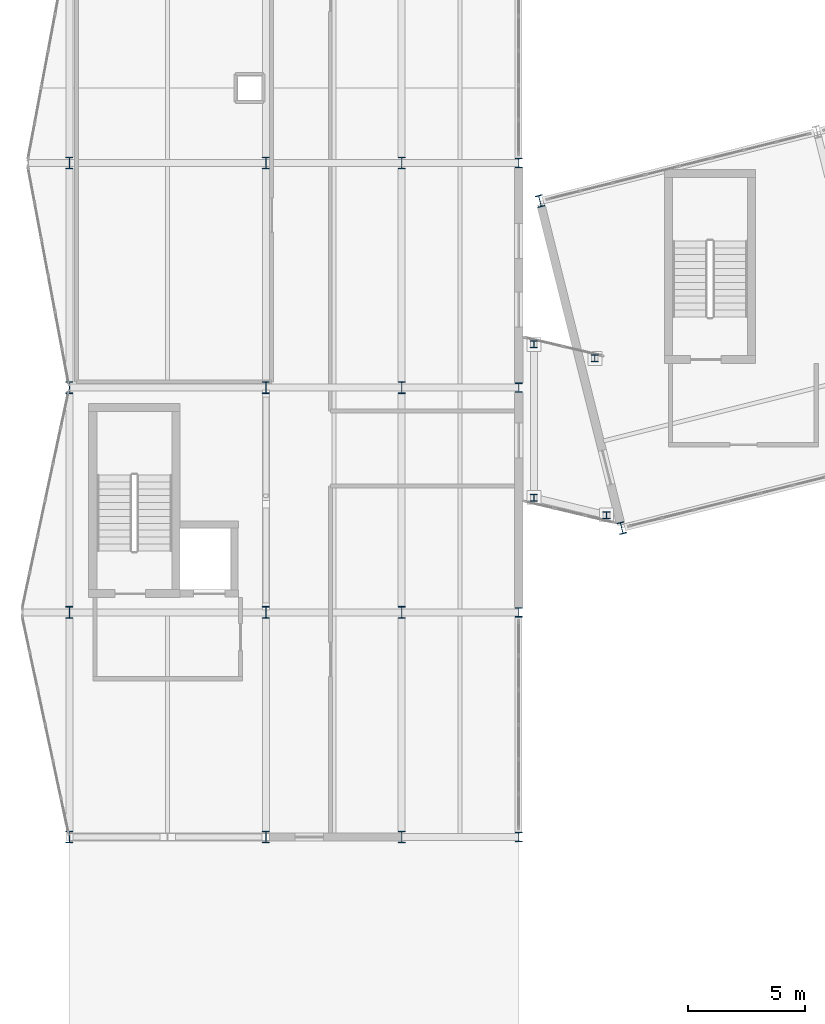
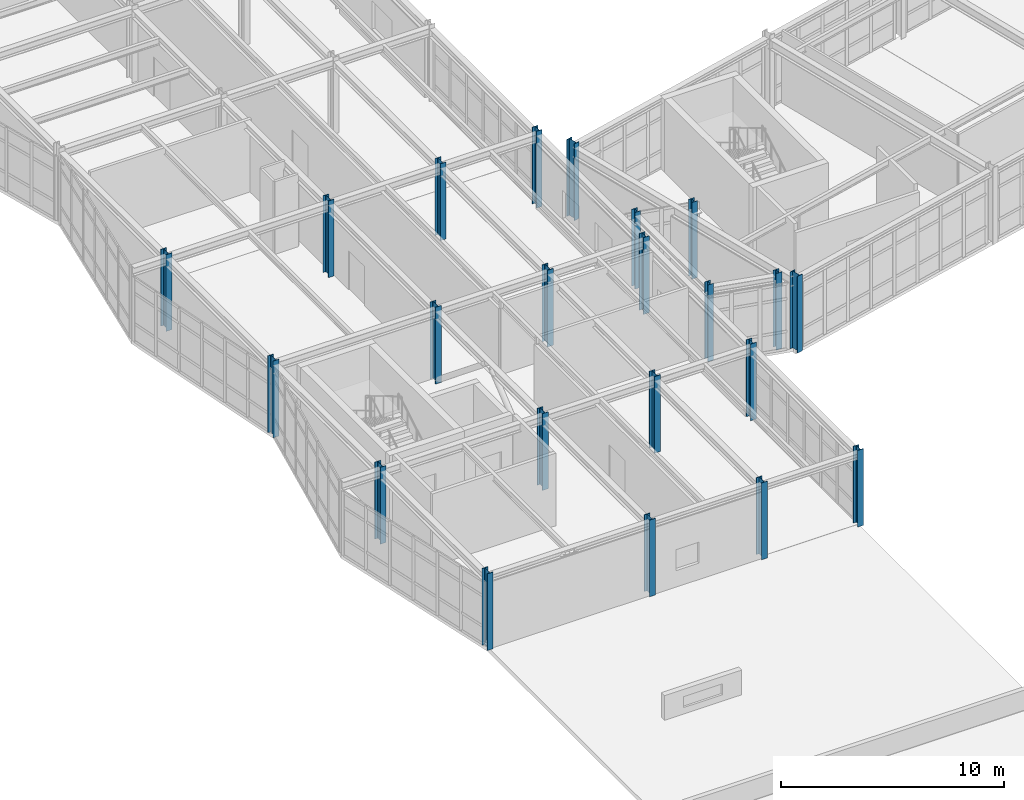
# One storey, part 1 of 88: 22 columns.
"""IFC4 building model written with IfcOpenShell, lengths in metres."""

from ifc_helpers import new_model, si_unit, direction, frame, origin, origin_2d, place, context, subcontext, project, spatial, i_section, extrude, material, material_profile, profile_set, type_object, element, save


model = new_model("IFC4")

# Units and contexts
model_context = context("Model", 3, precision=1e-05, world=origin(), true_north=direction((0.0, 1.0)))
body_context = subcontext(model_context, "Body", "Model", "MODEL_VIEW")
ifc_project = project(units=[si_unit("LENGTHUNIT", "METRE"), si_unit("AREAUNIT", "SQUARE_METRE"), si_unit("VOLUMEUNIT", "CUBIC_METRE"), si_unit("PLANEANGLEUNIT", "RADIAN"), si_unit("MASSUNIT", "GRAM", prefix="KILO")], contexts=[model_context])

# Site, building, storey
site_placement = place(None, origin())
site = spatial("IfcSite", under=ifc_project, at=site_placement, CompositionType="ELEMENT")
building_placement = place(site_placement, origin())
building = spatial("IfcBuilding", under=site, at=building_placement, Name="Nordkorset Police Headquarters", CompositionType="ELEMENT")
storey_placement = place(building_placement, frame((0.0, 0.0, 9.449951171875)))
storey = spatial("IfcBuildingStorey", under=building, at=storey_placement, Name="L02", CompositionType="ELEMENT", Elevation=9.449951171875)

# Columns
ifc_material_1 = material(Name="Steel S355J2", Category="steel")
ifc_material_profile_1 = material_profile(ifc_material_1, i_section(OverallWidth=0.300048828125, OverallDepth=0.300048828125, WebThickness=0.010986328125, FlangeThickness=0.01904296875, FilletRadius=0.027099609375, at=origin_2d()), Name="HEB 300")
ifc_profile_set_1 = profile_set([ifc_material_profile_1], Name="Steel S355J2")
column_type_1 = type_object("IfcColumnType", Name="Col_HEB_300", PredefinedType="COLUMN", material=ifc_profile_set_1)
for number, where, z_axis, x_axis, name in (
    (1, (19.85009765625, 49.85009765625, 0.0), (0.0, 0.0, 1.0), (1.0, 0.0, 0.0), "Courtyard Link Bridge Column BRG_W_N L02"),
    (2, (19.85009765625, 43.300048828125, 0.0), (0.0, 0.0, 1.0), (1.0, 0.0, 0.0), "Courtyard Link Bridge Column BRG_W_S L02"),
    (3, (22.449951171875, 49.25, 0.0), (0.0, 0.0, 1.0), (1.0, 0.0, 0.0), "Courtyard Link Bridge Column BRG_W_E1 L02"),
    (4, (22.949951171875, 42.550048828125, 0.0), (0.0, 0.0, 1.0), (1.0, 0.0, 0.0), "Courtyard Link Bridge Column BRG_W_E2 L02"),
):
    element("IfcColumn", number, at=place(storey_placement, frame(where, z_axis=z_axis, x_axis=x_axis)), inside=storey, type_object=column_type_1, Name=name, PredefinedType="COLUMN", context=body_context, shape_type="SweptSolid", body=[
        extrude(i_section(OverallWidth=0.300048828125, OverallDepth=0.300048828125, WebThickness=0.010986328125, FlangeThickness=0.01904296875, FilletRadius=0.027099609375, at=origin_2d()), origin(), (0.0, 0.0, 1.0), 4.199951171875),
    ])
ifc_material_2 = material(Name="Steel S355J2", Category="steel")
ifc_material_profile_2 = material_profile(ifc_material_2, i_section(OverallWidth=0.300048828125, OverallDepth=0.39990234375, WebThickness=0.013427734375, FlangeThickness=0.02392578125, FilletRadius=0.027099609375, at=origin_2d()), Name="HEB 400")
ifc_profile_set_2 = profile_set([ifc_material_profile_2], Name="Steel S355J2")
column_type_2 = type_object("IfcColumnType", Name="Col_HEB_400", PredefinedType="COLUMN", material=ifc_profile_set_2)
for number, where, z_axis, x_axis, name in (
    (5, (19.199951171875, 28.800048828125, 0.0), (0.0, 0.0, 1.0), (1.0, 0.0, 0.0), "Structural Column V3_X3_0 L02"),
    (6, (19.199951171875, 38.39990234375, 0.0), (0.0, 0.0, 1.0), (1.0, 0.0, 0.0), "Structural Column V3_X3_1 L02"),
    (7, (19.199951171875, 48.0, 0.0), (0.0, 0.0, 1.0), (1.0, 0.0, 0.0), "Structural Column V3_X3_2 L02"),
    (8, (19.199951171875, 57.60009765625, 0.0), (0.0, 0.0, 1.0), (1.0, 0.0, 0.0), "Structural Column V3_X3_3 L02"),
):
    element("IfcColumn", number, at=place(storey_placement, frame(where, z_axis=z_axis, x_axis=x_axis)), inside=storey, type_object=column_type_2, Name=name, PredefinedType="COLUMN", context=body_context, shape_type="SweptSolid", body=[
        extrude(i_section(OverallWidth=0.300048828125, OverallDepth=0.39990234375, WebThickness=0.013427734375, FlangeThickness=0.02392578125, FilletRadius=0.027099609375, at=origin_2d()), origin(), (0.0, 0.0, 1.0), 4.199951171875),
    ])
ifc_material_3 = material(Name="Steel S355J2", Category="steel")
ifc_material_profile_3 = material_profile(ifc_material_3, i_section(OverallWidth=0.300048828125, OverallDepth=0.5, WebThickness=0.014404296875, FlangeThickness=0.028076171875, FilletRadius=0.027099609375, at=origin_2d()), Name="HEB 500")
ifc_profile_set_3 = profile_set([ifc_material_profile_3], Name="Steel S355J2")
column_type_3 = type_object("IfcColumnType", Name="Col_HEB_500", PredefinedType="COLUMN", material=ifc_profile_set_3)
for number, where, z_axis, x_axis, name in (
    (9, (0.0, 28.800048828125, 0.0), (0.0, 0.0, 1.0), (1.0, 0.0, 0.0), "Structural Column V3_X0_0 L02"),
    (10, (8.39990234375, 28.800048828125, 0.0), (0.0, 0.0, 1.0), (1.0, 0.0, 0.0), "Structural Column V3_X1_0 L02"),
    (11, (14.199951171875, 28.800048828125, 0.0), (0.0, 0.0, 1.0), (1.0, 0.0, 0.0), "Structural Column V3_X2_0 L02"),
    (12, (0.0, 38.39990234375, 0.0), (0.0, 0.0, 1.0), (1.0, 0.0, 0.0), "Structural Column V3_X0_1 L02"),
    (13, (8.39990234375, 38.39990234375, 0.0), (0.0, 0.0, 1.0), (1.0, 0.0, 0.0), "Structural Column V3_X1_1 L02"),
    (14, (14.199951171875, 38.39990234375, 0.0), (0.0, 0.0, 1.0), (1.0, 0.0, 0.0), "Structural Column V3_X2_1 L02"),
    (15, (0.0, 48.0, 0.0), (0.0, 0.0, 1.0), (1.0, 0.0, 0.0), "Structural Column V3_X0_2 L02"),
    (16, (8.39990234375, 48.0, 0.0), (0.0, 0.0, 1.0), (1.0, 0.0, 0.0), "Structural Column V3_X1_2 L02"),
    (17, (14.199951171875, 48.0, 0.0), (0.0, 0.0, 1.0), (1.0, 0.0, 0.0), "Structural Column V3_X2_2 L02"),
    (18, (0.0, 57.60009765625, 0.0), (0.0, 0.0, 1.0), (1.0, 0.0, 0.0), "Structural Column V3_X0_3 L02"),
    (19, (8.39990234375, 57.60009765625, 0.0), (0.0, 0.0, 1.0), (1.0, 0.0, 0.0), "Structural Column V3_X1_3 L02"),
    (20, (14.199951171875, 57.60009765625, 0.0), (0.0, 0.0, 1.0), (1.0, 0.0, 0.0), "Structural Column V3_X2_3 L02"),
    (21, (23.60009765625, 42.0, 0.0), (0.0, 0.0, 1.0), (0.970142500145, 0.242535625038, 0.0), "Structural Column V4_U0_V0 L02"),
    (22, (20.107421875, 55.969970703125, 0.0), (0.0, 0.0, 1.0), (0.970142500145, 0.242535625038, 0.0), "Structural Column V4_U0_V1 L02"),
):
    element("IfcColumn", number, at=place(storey_placement, frame(where, z_axis=z_axis, x_axis=x_axis)), inside=storey, type_object=column_type_3, Name=name, PredefinedType="COLUMN", context=body_context, shape_type="SweptSolid", body=[
        extrude(i_section(OverallWidth=0.300048828125, OverallDepth=0.5, WebThickness=0.014404296875, FlangeThickness=0.028076171875, FilletRadius=0.027099609375, at=origin_2d()), origin(), (0.0, 0.0, 1.0), 4.199951171875),
    ])

save(model, "model.ifc")
